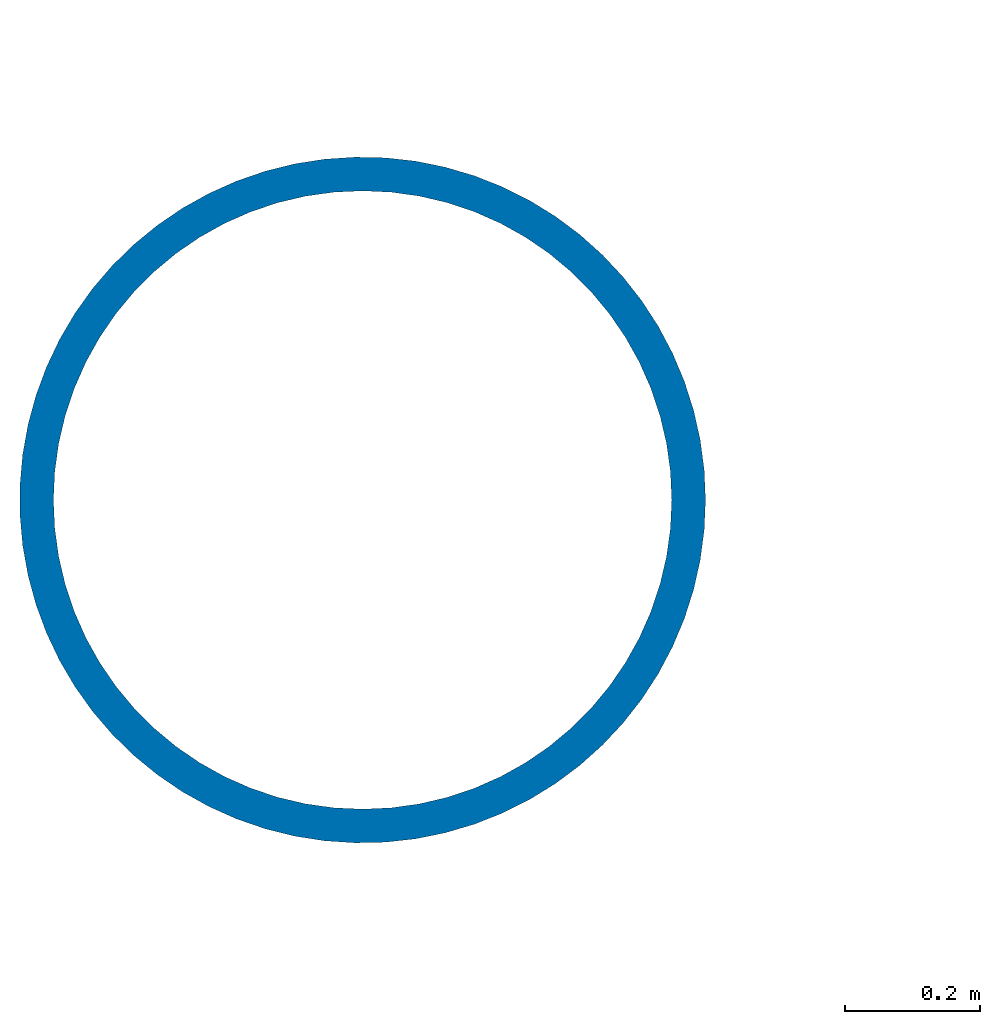
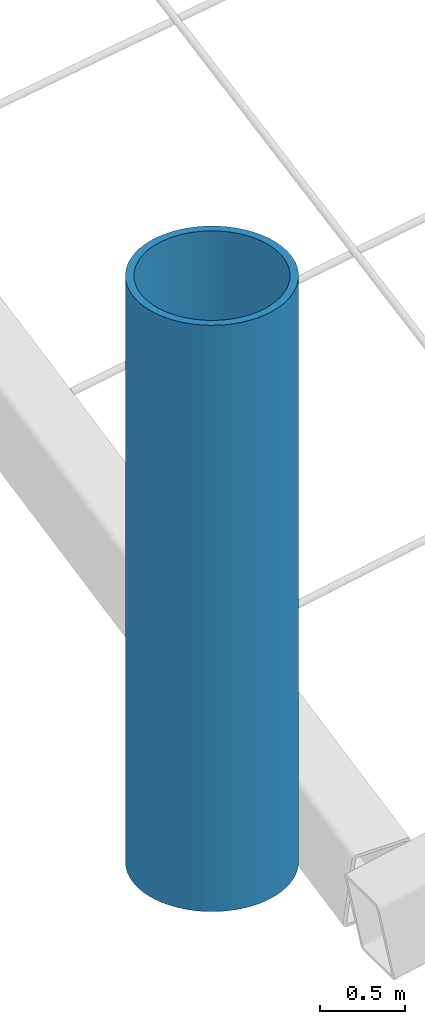
# One storey, part 1 of 20: 1 column.
"""IFC4 building model written with IfcOpenShell, lengths in metres."""

from ifc_helpers import new_model, si_unit, direction, frame, origin, origin_2d, place, context, subcontext, project, spatial, hollow_circle, extrude, material, material_profile, profile_set, type_object, element, save


model = new_model("IFC4")

# Units and contexts
model_context = context("Model", 3, precision=1e-05, world=origin(), true_north=direction((0.0, 1.0)))
body_context = subcontext(model_context, "Body", "Model", "MODEL_VIEW")
ifc_project = project(units=[si_unit("LENGTHUNIT", "METRE"), si_unit("AREAUNIT", "SQUARE_METRE"), si_unit("VOLUMEUNIT", "CUBIC_METRE"), si_unit("PLANEANGLEUNIT", "RADIAN"), si_unit("MASSUNIT", "GRAM", prefix="KILO")], contexts=[model_context])

# Site, building, storey
site_placement = place(None, origin())
site = spatial("IfcSite", under=ifc_project, at=site_placement, CompositionType="ELEMENT")
building_placement = place(site_placement, origin())
building = spatial("IfcBuilding", under=site, at=building_placement, Name="Cresset Court Congress Hotel", CompositionType="ELEMENT")
storey_placement = place(building_placement, frame((0.0, 0.0, 27.0)))
storey = spatial("IfcBuildingStorey", under=building, at=storey_placement, Name="L06", CompositionType="ELEMENT", Elevation=27.0)

# Column
ifc_material = material(Name="Structural steel Q355B", Category="steel")
ifc_material_profile = material_profile(ifc_material, hollow_circle(Radius=0.508056640625, WallThickness=0.050048828125, at=origin_2d()), Name="CHS1016x50")
ifc_profile_set = profile_set([ifc_material_profile], Name="Structural steel Q355B")
column_type = type_object("IfcColumnType", Name="Mast tube 1016x50", PredefinedType="COLUMN", material=ifc_profile_set)
column_placement = place(storey_placement, frame((55.800048828125, 55.800048828125, 0.0), z_axis=(0.0, 0.0, 1.0), x_axis=(1.0, 0.0, 0.0)))
element("IfcColumn", 1, at=column_placement, inside=storey, type_object=column_type, Name="Mast M1", PredefinedType="COLUMN", context=body_context, shape_type="SweptSolid", body=[
    extrude(hollow_circle(Radius=0.508056640625, WallThickness=0.050048828125, at=origin_2d()), origin(), (0.0, 0.0, 1.0), 4.199951171875),
])

save(model, "model.ifc")
